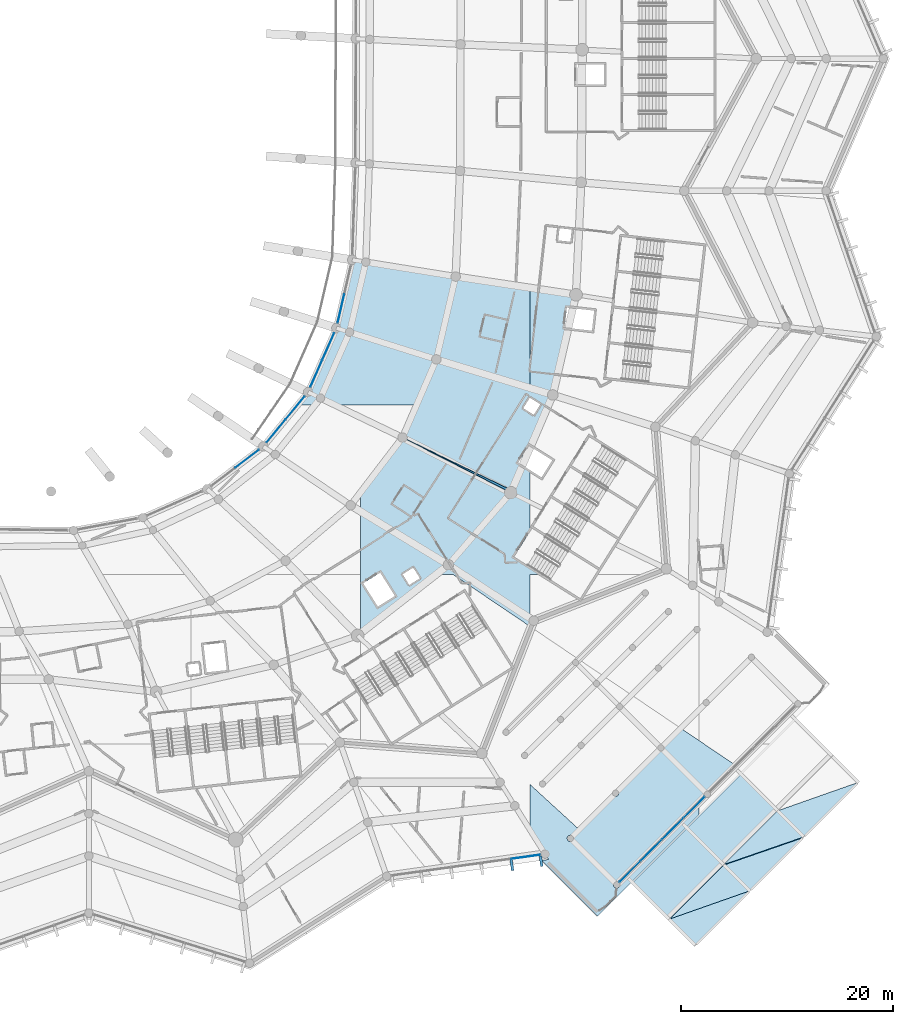
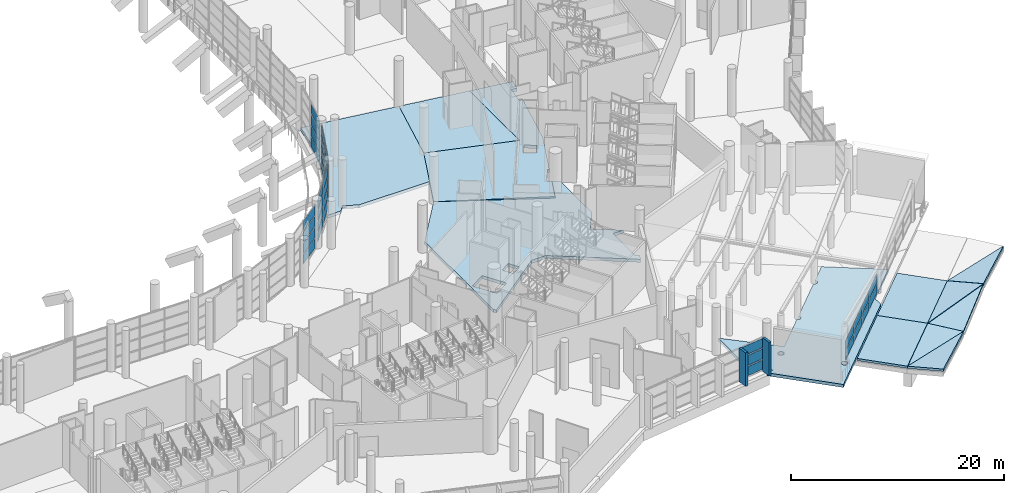
# One storey, part 129 of 271: 37 plates, 13 slabs, 6 elements without a shape of their own.
"""IFC4 building model written with IfcOpenShell, lengths in metres."""

from ifc_helpers import new_model, si_unit, direction, frame, origin, origin_2d, place, context, subcontext, project, spatial, polyline, rectangle, outline, extrude, material, layer, layer_set, type_object, element, aggregate, save


model = new_model("IFC4")

# Units and contexts
model_context = context("Model", 3, precision=1e-05, world=origin(), true_north=direction((0.0, 1.0)))
body_context = subcontext(model_context, "Body", "Model", "MODEL_VIEW")
ifc_project = project(units=[si_unit("LENGTHUNIT", "METRE"), si_unit("AREAUNIT", "SQUARE_METRE"), si_unit("VOLUMEUNIT", "CUBIC_METRE"), si_unit("PLANEANGLEUNIT", "RADIAN"), si_unit("MASSUNIT", "GRAM", prefix="KILO")], contexts=[model_context])

# Site, building, storey
site_placement = place(None, origin())
site = spatial("IfcSite", under=ifc_project, at=site_placement, CompositionType="ELEMENT")
building_placement = place(site_placement, origin())
building = spatial("IfcBuilding", under=site, at=building_placement, Name="Meseta Stadium", CompositionType="ELEMENT")
storey_placement = place(building_placement, frame((0.0, 0.0, 6.5)))
storey = spatial("IfcBuildingStorey", under=building, at=storey_placement, Name="L01", CompositionType="ELEMENT", Elevation=6.5)

# Curtain wall, plates
ifc_material_1 = material(Name="Aluminium", Category="aluminium")
ifc_layer_1 = layer(ifc_material_1, 0.199951171875)
ifc_layer_set_1 = layer_set([ifc_layer_1], Name="Club glazing curtain wall")
curtain_wall_type_1 = type_object("IfcCurtainWallType", Name="Club glazing curtain wall", PredefinedType="NOTDEFINED", material=ifc_layer_set_1)
curtain_wall_1_placement = place(storey_placement, origin())
curtain_wall_1 = element("IfcCurtainWall", 1, at=curtain_wall_1_placement, inside=storey, type_object=curtain_wall_type_1, Name="Club glazing bay 52", PredefinedType="NOTDEFINED")
ifc_material_2 = material(Name="Glass", Category="glass")
ifc_layer_2 = layer(ifc_material_2, 0.028076171875)
ifc_layer_set_2 = layer_set([ifc_layer_2], Name="CW glass panel 28")
plate_type_1 = type_object("IfcPlateType", Name="CW glass panel 28", PredefinedType="CURTAIN_PANEL", material=ifc_layer_set_2)
plate_1_placement = place(storey_placement, frame((53.26953125, -69.077880859375, 0.1201171875), z_axis=(0.0, 0.0, 1.0), x_axis=(0.796590021375, 0.604519923448, 0.0)))
plate_1 = element("IfcPlate", 2, at=plate_1_placement, type_object=plate_type_1, Name="CWC panel 2.1", PredefinedType="CURTAIN_PANEL", context=body_context, shape_type="SweptSolid", body=[
    extrude(rectangle(XDim=2.759765625, YDim=0.028076171875, at=origin_2d()), origin(), (0.0, 0.0, 1.0), 1.107421875),
])
plate_2_placement = place(storey_placement, frame((53.26953125, -69.077880859375, 1.347412109375), z_axis=(0.0, 0.0, 1.0), x_axis=(0.796590021375, 0.604519923448, 0.0)))
plate_2 = element("IfcPlate", 3, at=plate_2_placement, type_object=plate_type_1, Name="CWC panel 2.2", PredefinedType="CURTAIN_PANEL", context=body_context, shape_type="SweptSolid", body=[
    extrude(rectangle(XDim=2.759765625, YDim=0.028076171875, at=origin_2d()), origin(), (0.0, 0.0, 1.0), 1.16748046875),
])
plate_3_placement = place(storey_placement, frame((53.26953125, -69.077880859375, 2.635009765625), z_axis=(0.0, 0.0, 1.0), x_axis=(0.796590021375, 0.604519923448, 0.0)))
plate_3 = element("IfcPlate", 4, at=plate_3_placement, type_object=plate_type_1, Name="CWC panel 2.3", PredefinedType="CURTAIN_PANEL", context=body_context, shape_type="SweptSolid", body=[
    extrude(rectangle(XDim=2.759765625, YDim=0.028076171875, at=origin_2d()), origin(), (0.0, 0.0, 1.0), 1.16748046875),
])
plate_4_placement = place(storey_placement, frame((53.26953125, -69.077880859375, 3.922607421875), z_axis=(0.0, 0.0, 1.0), x_axis=(0.796590021375, 0.604519923448, 0.0)))
plate_4 = element("IfcPlate", 5, at=plate_4_placement, type_object=plate_type_1, Name="CWC panel 2.4", PredefinedType="CURTAIN_PANEL", context=body_context, shape_type="SweptSolid", body=[
    extrude(rectangle(XDim=2.759765625, YDim=0.028076171875, at=origin_2d()), origin(), (0.0, 0.0, 1.0), 1.107421875),
])
aggregate(curtain_wall_1, [plate_1, plate_2, plate_3, plate_4])

curtain_wall_2_placement = place(storey_placement, origin())
curtain_wall_2 = element("IfcCurtainWall", 6, at=curtain_wall_2_placement, inside=storey, type_object=curtain_wall_type_1, Name="Club glazing bay 53", PredefinedType="NOTDEFINED")
plate_5_placement = place(storey_placement, frame((56.022705078125, -66.44091796875, 0.1201171875), z_axis=(0.0, 0.0, 1.0), x_axis=(0.63574102663, 0.771902420685, 0.0)))
plate_5 = element("IfcPlate", 7, at=plate_5_placement, type_object=plate_type_1, Name="CWC panel 1.1", PredefinedType="CURTAIN_PANEL", context=body_context, shape_type="SweptSolid", body=[
    extrude(rectangle(XDim=2.7646484375, YDim=0.028076171875, at=origin_2d()), origin(), (0.0, 0.0, 1.0), 1.107421875),
])
plate_6_placement = place(storey_placement, frame((56.022705078125, -66.44091796875, 1.347412109375), z_axis=(0.0, 0.0, 1.0), x_axis=(0.63574102663, 0.771902420685, 0.0)))
plate_6 = element("IfcPlate", 8, at=plate_6_placement, type_object=plate_type_1, Name="CWC panel 1.2", PredefinedType="CURTAIN_PANEL", context=body_context, shape_type="SweptSolid", body=[
    extrude(rectangle(XDim=2.7646484375, YDim=0.028076171875, at=origin_2d()), origin(), (0.0, 0.0, 1.0), 1.16748046875),
])
plate_7_placement = place(storey_placement, frame((56.022705078125, -66.44091796875, 2.635009765625), z_axis=(0.0, 0.0, 1.0), x_axis=(0.63574102663, 0.771902420685, 0.0)))
plate_7 = element("IfcPlate", 9, at=plate_7_placement, type_object=plate_type_1, Name="CWC panel 1.3", PredefinedType="CURTAIN_PANEL", context=body_context, shape_type="SweptSolid", body=[
    extrude(rectangle(XDim=2.7646484375, YDim=0.028076171875, at=origin_2d()), origin(), (0.0, 0.0, 1.0), 1.16748046875),
])
plate_8_placement = place(storey_placement, frame((56.022705078125, -66.44091796875, 3.922607421875), z_axis=(0.0, 0.0, 1.0), x_axis=(0.63574102663, 0.771902420685, 0.0)))
plate_8 = element("IfcPlate", 10, at=plate_8_placement, type_object=plate_type_1, Name="CWC panel 1.4", PredefinedType="CURTAIN_PANEL", context=body_context, shape_type="SweptSolid", body=[
    extrude(rectangle(XDim=2.7646484375, YDim=0.028076171875, at=origin_2d()), origin(), (0.0, 0.0, 1.0), 1.107421875),
])
plate_9_placement = place(storey_placement, frame((57.818359375, -64.260498046875, 0.1201171875), z_axis=(0.0, 0.0, 1.0), x_axis=(0.63574102663, 0.771902420685, 0.0)))
plate_9 = element("IfcPlate", 11, at=plate_9_placement, type_object=plate_type_1, Name="CWC panel 2.1", PredefinedType="CURTAIN_PANEL", context=body_context, shape_type="SweptSolid", body=[
    extrude(rectangle(XDim=2.7646484375, YDim=0.028076171875, at=origin_2d()), origin(), (0.0, 0.0, 1.0), 1.107421875),
])
plate_10_placement = place(storey_placement, frame((57.818359375, -64.260498046875, 1.347412109375), z_axis=(0.0, 0.0, 1.0), x_axis=(0.63574102663, 0.771902420685, 0.0)))
plate_10 = element("IfcPlate", 12, at=plate_10_placement, type_object=plate_type_1, Name="CWC panel 2.2", PredefinedType="CURTAIN_PANEL", context=body_context, shape_type="SweptSolid", body=[
    extrude(rectangle(XDim=2.7646484375, YDim=0.028076171875, at=origin_2d()), origin(), (0.0, 0.0, 1.0), 1.16748046875),
])
plate_11_placement = place(storey_placement, frame((57.818359375, -64.260498046875, 2.635009765625), z_axis=(0.0, 0.0, 1.0), x_axis=(0.63574102663, 0.771902420685, 0.0)))
plate_11 = element("IfcPlate", 13, at=plate_11_placement, type_object=plate_type_1, Name="CWC panel 2.3", PredefinedType="CURTAIN_PANEL", context=body_context, shape_type="SweptSolid", body=[
    extrude(rectangle(XDim=2.7646484375, YDim=0.028076171875, at=origin_2d()), origin(), (0.0, 0.0, 1.0), 1.16748046875),
])
plate_12_placement = place(storey_placement, frame((57.818359375, -64.260498046875, 3.922607421875), z_axis=(0.0, 0.0, 1.0), x_axis=(0.63574102663, 0.771902420685, 0.0)))
plate_12 = element("IfcPlate", 14, at=plate_12_placement, type_object=plate_type_1, Name="CWC panel 2.4", PredefinedType="CURTAIN_PANEL", context=body_context, shape_type="SweptSolid", body=[
    extrude(rectangle(XDim=2.7646484375, YDim=0.028076171875, at=origin_2d()), origin(), (0.0, 0.0, 1.0), 1.107421875),
])
aggregate(curtain_wall_2, [plate_5, plate_6, plate_7, plate_8, plate_9, plate_10, plate_11, plate_12])

curtain_wall_3_placement = place(storey_placement, origin())
curtain_wall_3 = element("IfcCurtainWall", 15, at=curtain_wall_3_placement, inside=storey, type_object=curtain_wall_type_1, Name="Club glazing bay 54", PredefinedType="NOTDEFINED")
plate_13_placement = place(storey_placement, frame((59.820068359375, -61.021484375, 0.1201171875), z_axis=(0.0, 0.0, 1.0), x_axis=(0.404230353712, 0.914657215102, 0.0)))
plate_13 = element("IfcPlate", 16, at=plate_13_placement, type_object=plate_type_1, Name="CWC panel 1.1", PredefinedType="CURTAIN_PANEL", context=body_context, shape_type="SweptSolid", body=[
    extrude(rectangle(XDim=2.737060546875, YDim=0.028076171875, at=origin_2d()), origin(), (0.0, 0.0, 1.0), 1.107421875),
])
plate_14_placement = place(storey_placement, frame((59.820068359375, -61.021484375, 1.347412109375), z_axis=(0.0, 0.0, 1.0), x_axis=(0.404230353712, 0.914657215102, 0.0)))
plate_14 = element("IfcPlate", 17, at=plate_14_placement, type_object=plate_type_1, Name="CWC panel 1.2", PredefinedType="CURTAIN_PANEL", context=body_context, shape_type="SweptSolid", body=[
    extrude(rectangle(XDim=2.737060546875, YDim=0.028076171875, at=origin_2d()), origin(), (0.0, 0.0, 1.0), 1.16748046875),
])
plate_15_placement = place(storey_placement, frame((59.820068359375, -61.021484375, 2.635009765625), z_axis=(0.0, 0.0, 1.0), x_axis=(0.404230353712, 0.914657215102, 0.0)))
plate_15 = element("IfcPlate", 18, at=plate_15_placement, type_object=plate_type_1, Name="CWC panel 1.3", PredefinedType="CURTAIN_PANEL", context=body_context, shape_type="SweptSolid", body=[
    extrude(rectangle(XDim=2.737060546875, YDim=0.028076171875, at=origin_2d()), origin(), (0.0, 0.0, 1.0), 1.16748046875),
])
plate_16_placement = place(storey_placement, frame((59.820068359375, -61.021484375, 3.922607421875), z_axis=(0.0, 0.0, 1.0), x_axis=(0.404230353712, 0.914657215102, 0.0)))
plate_16 = element("IfcPlate", 19, at=plate_16_placement, type_object=plate_type_1, Name="CWC panel 1.4", PredefinedType="CURTAIN_PANEL", context=body_context, shape_type="SweptSolid", body=[
    extrude(rectangle(XDim=2.737060546875, YDim=0.028076171875, at=origin_2d()), origin(), (0.0, 0.0, 1.0), 1.107421875),
])
plate_17_placement = place(storey_placement, frame((60.950927734375, -58.462890625, 0.1201171875), z_axis=(0.0, 0.0, 1.0), x_axis=(0.404230353712, 0.914657215102, 0.0)))
plate_17 = element("IfcPlate", 20, at=plate_17_placement, type_object=plate_type_1, Name="CWC panel 2.1", PredefinedType="CURTAIN_PANEL", context=body_context, shape_type="SweptSolid", body=[
    extrude(rectangle(XDim=2.737060546875, YDim=0.028076171875, at=origin_2d()), origin(), (0.0, 0.0, 1.0), 1.107421875),
])
plate_18_placement = place(storey_placement, frame((60.950927734375, -58.462890625, 1.347412109375), z_axis=(0.0, 0.0, 1.0), x_axis=(0.404230353712, 0.914657215102, 0.0)))
plate_18 = element("IfcPlate", 21, at=plate_18_placement, type_object=plate_type_1, Name="CWC panel 2.2", PredefinedType="CURTAIN_PANEL", context=body_context, shape_type="SweptSolid", body=[
    extrude(rectangle(XDim=2.737060546875, YDim=0.028076171875, at=origin_2d()), origin(), (0.0, 0.0, 1.0), 1.16748046875),
])
plate_19_placement = place(storey_placement, frame((60.950927734375, -58.462890625, 2.635009765625), z_axis=(0.0, 0.0, 1.0), x_axis=(0.404230353712, 0.914657215102, 0.0)))
plate_19 = element("IfcPlate", 22, at=plate_19_placement, type_object=plate_type_1, Name="CWC panel 2.3", PredefinedType="CURTAIN_PANEL", context=body_context, shape_type="SweptSolid", body=[
    extrude(rectangle(XDim=2.737060546875, YDim=0.028076171875, at=origin_2d()), origin(), (0.0, 0.0, 1.0), 1.16748046875),
])
plate_20_placement = place(storey_placement, frame((60.950927734375, -58.462890625, 3.922607421875), z_axis=(0.0, 0.0, 1.0), x_axis=(0.404230353712, 0.914657215102, 0.0)))
plate_20 = element("IfcPlate", 23, at=plate_20_placement, type_object=plate_type_1, Name="CWC panel 2.4", PredefinedType="CURTAIN_PANEL", context=body_context, shape_type="SweptSolid", body=[
    extrude(rectangle(XDim=2.737060546875, YDim=0.028076171875, at=origin_2d()), origin(), (0.0, 0.0, 1.0), 1.107421875),
])
aggregate(curtain_wall_3, [plate_13, plate_14, plate_15, plate_16, plate_17, plate_18, plate_19, plate_20])

curtain_wall_4_placement = place(storey_placement, origin())
curtain_wall_4 = element("IfcCurtainWall", 24, at=curtain_wall_4_placement, inside=storey, type_object=curtain_wall_type_1, Name="Club glazing bay 55", PredefinedType="NOTDEFINED")
plate_21_placement = place(storey_placement, frame((62.154541015625, -54.856201171875, 0.1201171875), z_axis=(0.0, 0.0, 1.0), x_axis=(0.226048245529, 0.974116107399, 0.0)))
plate_21 = element("IfcPlate", 25, at=plate_21_placement, type_object=plate_type_1, Name="CWC panel 1.1", PredefinedType="CURTAIN_PANEL", context=body_context, shape_type="SweptSolid", body=[
    extrude(rectangle(XDim=2.736572265625, YDim=0.028076171875, at=origin_2d()), origin(), (0.0, 0.0, 1.0), 1.107421875),
])
plate_22_placement = place(storey_placement, frame((62.154541015625, -54.856201171875, 1.347412109375), z_axis=(0.0, 0.0, 1.0), x_axis=(0.226048245529, 0.974116107399, 0.0)))
plate_22 = element("IfcPlate", 26, at=plate_22_placement, type_object=plate_type_1, Name="CWC panel 1.2", PredefinedType="CURTAIN_PANEL", context=body_context, shape_type="SweptSolid", body=[
    extrude(rectangle(XDim=2.736572265625, YDim=0.028076171875, at=origin_2d()), origin(), (0.0, 0.0, 1.0), 1.16748046875),
])
plate_23_placement = place(storey_placement, frame((62.154541015625, -54.856201171875, 2.635009765625), z_axis=(0.0, 0.0, 1.0), x_axis=(0.226048245529, 0.974116107399, 0.0)))
plate_23 = element("IfcPlate", 27, at=plate_23_placement, type_object=plate_type_1, Name="CWC panel 1.3", PredefinedType="CURTAIN_PANEL", context=body_context, shape_type="SweptSolid", body=[
    extrude(rectangle(XDim=2.736572265625, YDim=0.028076171875, at=origin_2d()), origin(), (0.0, 0.0, 1.0), 1.16748046875),
])
plate_24_placement = place(storey_placement, frame((62.154541015625, -54.856201171875, 3.922607421875), z_axis=(0.0, 0.0, 1.0), x_axis=(0.226048245529, 0.974116107399, 0.0)))
plate_24 = element("IfcPlate", 28, at=plate_24_placement, type_object=plate_type_1, Name="CWC panel 1.4", PredefinedType="CURTAIN_PANEL", context=body_context, shape_type="SweptSolid", body=[
    extrude(rectangle(XDim=2.736572265625, YDim=0.028076171875, at=origin_2d()), origin(), (0.0, 0.0, 1.0), 1.107421875),
])
aggregate(curtain_wall_4, [plate_21, plate_22, plate_23, plate_24])

# Slabs
ifc_material_3 = material(Name="White precast concrete C40/50", Category="concrete")
ifc_layer_3 = layer(ifc_material_3, 0.25)
ifc_layer_set_3 = layer_set([ifc_layer_3], Name="Canopy folded plate 250")
slab_type_1 = type_object("IfcSlabType", Name="Canopy folded plate 250", PredefinedType="ROOF", material=ifc_layer_set_3)
slab_1_placement = place(storey_placement, frame((93.1640625, -112.5791015625, -0.10009765625), z_axis=(0.0, 0.0, 1.0), x_axis=(0.707090059377, 0.7071235026, 0.0)))
element("IfcSlab", 29, at=slab_1_placement, inside=storey, type_object=slab_type_1, Name="Entrance canopy folded plate B0", PredefinedType="ROOF", context=body_context, shape_type="SweptSolid", body=[
    extrude(outline(polyline([(0.0, 0.0), (7.300152457128014, 0.0), (7.300268332669466, 4.900029021383546), (0.0002885131153291809, 4.900201650792573), (0.0, 0.0)])), origin(), (0.0, 0.0, -1.0), 0.25),
])
slab_2_placement = place(storey_placement, frame((93.210693359375, -112.5625, -0.100830078125), z_axis=(0.060432028665, -0.060414653998, 0.996342330474), x_axis=(0.942661322626, 0.331686458875, -0.037063780482)))
element("IfcSlab", 30, at=slab_2_placement, inside=storey, type_object=slab_type_1, Name="Entrance canopy folded plate T0a", PredefinedType="ROOF", context=body_context, shape_type="SweptSolid", body=[
    extrude(outline(polyline([(0.0, 0.0), (8.051759758913095, -7.424616477180734e-16), (6.532470930236446, 3.1572763758816706), (6.537877021598011, 3.1460418245290676), (0.0, 0.0)])), origin(), (0.0, 0.0, -1.0), 0.25),
])
slab_3_placement = place(storey_placement, frame((95.638916015625, -115.0537109375, 0.201904296875), z_axis=(-0.002479951432, 0.117924395492, 0.993019479562), x_axis=(0.704729605911, 0.704729605911, -0.081929024799)))
element("IfcSlab", 31, at=slab_3_placement, inside=storey, type_object=slab_type_1, Name="Entrance canopy folded plate T0b", PredefinedType="ROOF", context=body_context, shape_type="SweptSolid", body=[
    extrude(outline(polyline([(0.0, 0.0), (7.324603920536269, -1.734723475976807e-16), (0.02441065475398344, 3.5125524767372487), (0.0, 0.0)])), origin(), (0.0, 0.0, -1.0), 0.25),
])
slab_4_placement = place(storey_placement, frame((98.325927734375, -107.4169921875, -0.10009765625), z_axis=(0.0, 0.0, 1.0), x_axis=(0.707106781187, 0.707106781187, 0.0)))
element("IfcSlab", 32, at=slab_4_placement, inside=storey, type_object=slab_type_1, Name="Entrance canopy folded plate B1", PredefinedType="ROOF", context=body_context, shape_type="SweptSolid", body=[
    extrude(outline(polyline([(0.0, 0.0), (7.19985239652494, 0.0), (7.19985239652494, 4.900029022753654), (0.0, 4.900029022753654), (0.0, 0.0)])), origin(), (0.0, 0.0, -1.0), 0.25),
])
slab_5_placement = place(storey_placement, frame((105.891845703125, -104.80078125, 0.200927734375), z_axis=(-0.060397973019, 0.060397973019, 0.99634540683), x_axis=(-0.704522593573, 0.704522593573, -0.085415632584)))
element("IfcSlab", 33, at=slab_5_placement, inside=storey, type_object=slab_type_1, Name="Entrance canopy folded plate T1a", PredefinedType="ROOF", context=body_context, shape_type="SweptSolid", body=[
    extrude(outline(polyline([(0.0, 0.0), (3.512809295544242, 0.0), (3.512809295544242, 7.199852396524939), (0.0, 0.0)])), origin(), (0.0, 0.0, -1.0), 0.25),
])
slab_6_placement = place(storey_placement, frame((98.36328125, -107.454345703125, -0.102783203125), z_axis=(0.001648560006, -0.118688529464, 0.992930166338), x_axis=(0.704524505935, -0.704524505935, -0.085384079746)))
element("IfcSlab", 34, at=slab_6_placement, inside=storey, type_object=slab_type_1, Name="Entrance canopy folded plate T1b", PredefinedType="ROOF", context=body_context, shape_type="SweptSolid", body=[
    extrude(outline(polyline([(0.0, 0.0), (3.459780290772183, 1.0755285551056204e-16), (3.409312796371691, 7.11584929047783), (0.0, 0.0)])), origin(), (0.0, 0.0, -1.0), 0.25),
])
slab_7_placement = place(storey_placement, frame((111.0537109375, -99.638916015625, -0.398193359375), z_axis=(-0.002496958832, 0.117934620738, 0.993018222606), x_axis=(-0.942665381464, -0.331679679455, 0.03702119429)))
element("IfcSlab", 35, at=slab_7_placement, inside=storey, type_object=slab_type_1, Name="Entrance canopy folded plate T2b", PredefinedType="ROOF", context=body_context, shape_type="SweptSolid", body=[
    extrude(outline(polyline([(0.0, 0.0), (8.078406744052105, -1.734723475976807e-16), (6.581794485257399, 3.1671372819378045), (0.0, 0.0)])), origin(), (0.0, 0.0, -1.0), 0.25),
])
ifc_material_4 = material(Name="Concrete C40/50", Category="concrete")
ifc_layer_4 = layer(ifc_material_4, 0.35009765625)
ifc_layer_set_4 = layer_set([ifc_layer_4], Name="Floor slab 350")
slab_type_2 = type_object("IfcSlabType", Name="Floor slab 350", PredefinedType="FLOOR", material=ifc_layer_set_4)
slab_8_placement = place(storey_placement, frame((0.0, 0.0, -0.35009765625)))
element("IfcSlab", 36, at=slab_8_placement, inside=storey, type_object=slab_type_2, Name="Floor slab L01 sector 49 panel 09", PredefinedType="FLOOR", context=body_context, shape_type="SweptSolid", body=[
    extrude(outline(polyline([(62.8525390625, -52.449951171875), (62.61962890625, -53.52880859375), (62.353515625, -54.60009765625), (62.0546875, -55.66259765625), (61.72314453125, -56.715576171875), (61.359375, -57.7578125), (60.96337890625, -58.7880859375), (60.535888671875, -59.80615234375), (60.077392578125, -60.810791015625), (59.587890625, -61.80078125), (59.049072265625, -62.766357421875), (58.428955078125, -63.688232421875), (58.201416015625, -64.0), (59.68408203125, -64.0), (60.22216796875, -63.33056640625), (61.6142578125, -64.0), (69.297119140625, -64.0), (71.169677734375, -59.67724609375), (72.989990234375, -51.85693359375), (63.216796875, -50.282958984375), (63.052001953125, -51.3642578125), (62.8525390625, -52.449951171875)])), origin(), (0.0, 0.0, 1.0), 0.35009765625),
])
slab_9_placement = place(storey_placement, frame((0.0, 0.0, -0.35009765625)))
element("IfcSlab", 37, at=slab_9_placement, inside=storey, type_object=slab_type_2, Name="Floor slab L01 sector 49 panel 10", PredefinedType="FLOOR", context=body_context, shape_type="SweptSolid", body=[
    extrude(outline(polyline([(78.505859375, -78.337646484375), (80.0, -75.959716796875), (80.0, -70.12353515625), (79.308349609375, -69.68896484375), (78.197998046875, -72.27197265625), (67.972412109375, -67.057861328125), (64.0, -72.251708984375), (64.0, -85.181396484375), (64.224365234375, -85.386962890625), (71.144287109375, -80.0), (72.741455078125, -80.0), (80.124267578125, -84.98388671875), (80.365478515625, -84.365478515625), (80.0, -84.126220703125), (80.0, -80.0), (81.151611328125, -80.0), (78.505859375, -78.337646484375)]), holes=[polyline([(67.967041015625, -79.9794921875), (68.983154296875, -79.341064453125), (69.62158203125, -80.357177734375), (68.605712890625, -80.99560546875), (67.967041015625, -79.9794921875)]), polyline([(65.86279296875, -79.82568359375), (67.245849609375, -82.027099609375), (65.63720703125, -83.0380859375), (64.25390625, -80.83642578125), (65.86279296875, -79.82568359375)])]), origin(), (0.0, 0.0, 1.0), 0.35009765625),
])
slab_10_placement = place(storey_placement, frame((0.0, 0.0, -0.35009765625)))
element("IfcSlab", 38, at=slab_10_placement, inside=storey, type_object=slab_type_2, Name="Floor slab L01 sector 49 panel 12", PredefinedType="FLOOR", context=body_context, shape_type="SweptSolid", body=[
    extrude(outline(polyline([(67.973388671875, -67.058349609375), (78.197998046875, -72.27197265625), (78.303466796875, -72.0263671875), (67.973388671875, -67.058349609375)])), origin(), (0.0, 0.0, 1.0), 0.35009765625),
])
slab_11_placement = place(storey_placement, frame((0.0, 0.0, -0.35009765625)))
element("IfcSlab", 39, at=slab_11_placement, inside=storey, type_object=slab_type_2, Name="Floor slab L01 sector 49 panel 13", PredefinedType="FLOOR", context=body_context, shape_type="SweptSolid", body=[
    extrude(outline(polyline([(80.0, -52.986083984375), (72.989990234375, -51.85693359375), (71.169677734375, -59.67724609375), (80.0, -62.371826171875), (80.0, -52.986083984375)])), origin(), (0.0, 0.0, 1.0), 0.35009765625),
])
slab_12_placement = place(storey_placement, frame((0.0, 0.0, -0.35009765625)))
element("IfcSlab", 40, at=slab_12_placement, inside=storey, type_object=slab_type_2, Name="Floor slab L01 sector 49 panel 14", PredefinedType="FLOOR", context=body_context, shape_type="SweptSolid", body=[
    extrude(outline(polyline([(71.169677734375, -59.67724609375), (67.972412109375, -67.057861328125), (78.303466796875, -72.0263671875), (79.308349609375, -69.68896484375), (78.903564453125, -69.4345703125), (79.914306640625, -67.82568359375), (80.06787109375, -67.922119140625), (82.169189453125, -63.03369140625), (83.635498046875, -56.7060546875), (83.2880859375, -56.6669921875), (83.500732421875, -54.77880859375), (84.0673828125, -54.842529296875), (84.335693359375, -53.684326171875), (80.0, -52.986083984375), (80.0, -62.371826171875), (71.169677734375, -59.67724609375)]), holes=[polyline([(81.015625, -63.91162109375), (80.377197265625, -64.927734375), (79.361083984375, -64.289306640625), (79.99951171875, -63.273193359375), (81.015625, -63.91162109375)])]), origin(), (0.0, 0.0, 1.0), 0.35009765625),
])
slab_13_placement = place(storey_placement, frame((0.0, 0.0, -0.35009765625)))
element("IfcSlab", 41, at=slab_13_placement, inside=storey, type_object=slab_type_2, Name="Gate hall floor slab 8 panel 02", PredefinedType="FLOOR", context=body_context, shape_type="SweptSolid", body=[
    extrude(outline(polyline([(88.400390625, -100.742431640625), (88.370361328125, -100.8154296875), (88.322265625, -100.878173828125), (88.259521484375, -100.92626953125), (88.1865234375, -100.95654296875), (88.108154296875, -100.966796875), (88.02978515625, -100.95654296875), (87.956787109375, -100.92626953125), (87.894287109375, -100.878173828125), (84.66943359375, -104.102783203125), (80.0, -99.828369140625), (80.0, -104.112548828125), (81.771240234375, -106.931396484375), (81.106201171875, -107.0263671875), (86.375732421875, -112.296142578125), (96.0, -102.671875), (96.0, -101.54052734375), (96.556396484375, -100.984130859375), (96.50830078125, -100.921630859375), (96.47802734375, -100.8486328125), (96.4677734375, -100.770263671875), (96.47802734375, -100.69189453125), (96.50830078125, -100.618896484375), (96.556396484375, -100.556396484375), (96.618896484375, -100.50830078125), (96.69189453125, -100.47802734375), (96.770263671875, -100.4677734375), (96.8486328125, -100.47802734375), (96.921630859375, -100.50830078125), (96.984130859375, -100.556396484375), (99.486083984375, -98.054443359375), (94.251708984375, -94.520751953125), (92.60009765625, -96.172119140625), (92.648193359375, -96.23486328125), (92.678466796875, -96.307861328125), (92.688720703125, -96.38623046875), (92.678466796875, -96.464599609375), (92.648193359375, -96.53759765625), (92.60009765625, -96.60009765625), (92.53759765625, -96.648193359375), (92.464599609375, -96.678466796875), (92.38623046875, -96.688720703125), (92.307861328125, -96.678466796875), (92.23486328125, -96.648193359375), (92.172119140625, -96.60009765625), (88.322265625, -100.4501953125), (88.370361328125, -100.512939453125), (88.400390625, -100.5859375), (88.410888671875, -100.664306640625), (88.400390625, -100.742431640625)]), holes=[polyline([(88.000244140625, -109.540283203125), (87.9521484375, -109.4775390625), (87.922119140625, -109.404541015625), (87.91162109375, -109.326416015625), (87.922119140625, -109.247802734375), (87.9521484375, -109.175048828125), (88.000244140625, -109.1123046875), (88.06298828125, -109.064208984375), (88.135986328125, -109.033935546875), (88.21435546875, -109.023681640625), (88.29248046875, -109.033935546875), (88.365478515625, -109.064208984375), (88.42822265625, -109.1123046875), (88.476318359375, -109.175048828125), (88.506591796875, -109.247802734375), (88.516845703125, -109.326416015625), (88.506591796875, -109.404541015625), (88.476318359375, -109.4775390625), (88.42822265625, -109.540283203125), (88.365478515625, -109.58837890625), (88.29248046875, -109.618408203125), (88.21435546875, -109.62890625), (88.135986328125, -109.618408203125), (88.06298828125, -109.58837890625), (88.000244140625, -109.540283203125)]), polyline([(84.044189453125, -105.15625), (83.9814453125, -105.2041015625), (83.908447265625, -105.234619140625), (83.830078125, -105.244873046875), (83.751953125, -105.234619140625), (83.678955078125, -105.2041015625), (83.6162109375, -105.15625), (83.568115234375, -105.093505859375), (83.537841796875, -105.0205078125), (83.527587890625, -104.942138671875), (83.537841796875, -104.864013671875), (83.568115234375, -104.791015625), (83.6162109375, -104.728271484375), (83.678955078125, -104.68017578125), (83.751953125, -104.64990234375), (83.830078125, -104.6396484375), (83.908447265625, -104.64990234375), (83.9814453125, -104.68017578125), (84.044189453125, -104.728271484375), (84.09228515625, -104.791015625), (84.12255859375, -104.864013671875), (84.1328125, -104.942138671875), (84.12255859375, -105.0205078125), (84.09228515625, -105.093505859375), (84.044189453125, -105.15625)])]), origin(), (0.0, 0.0, 1.0), 0.35009765625),
])

# Curtain wall, plates
ifc_material_5 = material(Name="Aluminium", Category="aluminium")
ifc_layer_5 = layer(ifc_material_5, 0.199951171875)
ifc_layer_set_5 = layer_set([ifc_layer_5], Name="Ring shopfront curtain wall")
curtain_wall_type_2 = type_object("IfcCurtainWallType", Name="Ring shopfront curtain wall", PredefinedType="NOTDEFINED", material=ifc_layer_set_5)
curtain_wall_5_placement = place(storey_placement, origin())
curtain_wall_5 = element("IfcCurtainWall", 42, at=curtain_wall_5_placement, inside=storey, type_object=curtain_wall_type_2, Name="Ring glazing L01 F51", PredefinedType="NOTDEFINED")
ifc_material_6 = material(Name="Glass", Category="glass")
ifc_layer_6 = layer(ifc_material_6, 0.035888671875)
ifc_layer_set_6 = layer_set([ifc_layer_6], Name="Ring CW glass panel 36")
plate_type_2 = type_object("IfcPlateType", Name="Ring CW glass panel 36", PredefinedType="CURTAIN_PANEL", material=ifc_layer_set_6)
plate_25_placement = place(storey_placement, frame((79.624267578125, -106.68017578125, 0.14990234375), z_axis=(0.0, 0.0, 1.0), x_axis=(0.990342456098, 0.13864277713, 0.0)))
plate_25 = element("IfcPlate", 43, at=plate_25_placement, type_object=plate_type_2, Name="CWR1 panel 5.1", PredefinedType="CURTAIN_PANEL", context=body_context, shape_type="SweptSolid", body=[
    extrude(rectangle(XDim=2.7744140625, YDim=0.035888671875, at=origin_2d()), origin(), (0.0, 0.0, 1.0), 1.058349609375),
])
plate_26_placement = place(storey_placement, frame((79.624267578125, -106.68017578125, 1.3583984375), z_axis=(0.0, 0.0, 1.0), x_axis=(0.990342456098, 0.13864277713, 0.0)))
plate_26 = element("IfcPlate", 44, at=plate_26_placement, type_object=plate_type_2, Name="CWR1 panel 5.2", PredefinedType="CURTAIN_PANEL", context=body_context, shape_type="SweptSolid", body=[
    extrude(rectangle(XDim=2.7744140625, YDim=0.035888671875, at=origin_2d()), origin(), (0.0, 0.0, 1.0), 1.13330078125),
])
plate_27_placement = place(storey_placement, frame((79.624267578125, -106.68017578125, 2.6416015625), z_axis=(0.0, 0.0, 1.0), x_axis=(0.990342456098, 0.13864277713, 0.0)))
plate_27 = element("IfcPlate", 45, at=plate_27_placement, type_object=plate_type_2, Name="CWR1 panel 5.3", PredefinedType="CURTAIN_PANEL", context=body_context, shape_type="SweptSolid", body=[
    extrude(rectangle(XDim=2.7744140625, YDim=0.035888671875, at=origin_2d()), origin(), (0.0, 0.0, 1.0), 1.058349609375),
])
aggregate(curtain_wall_5, [plate_25, plate_26, plate_27])

ifc_material_7 = material(Name="Aluminium", Category="aluminium")
ifc_layer_7 = layer(ifc_material_7, 0.199951171875)
ifc_layer_set_7 = layer_set([ifc_layer_7], Name="Gate hall curtain wall")
curtain_wall_type_3 = type_object("IfcCurtainWallType", Name="Gate hall curtain wall", PredefinedType="NOTDEFINED", material=ifc_layer_set_7)
curtain_wall_6_placement = place(storey_placement, origin())
curtain_wall_6 = element("IfcCurtainWall", 46, at=curtain_wall_6_placement, inside=storey, type_object=curtain_wall_type_3, Name="Gate 8 hall glazing", PredefinedType="NOTDEFINED")
plate_28_placement = place(storey_placement, frame((95.531005859375, -102.009521484375, 0.14990234375), z_axis=(0.0, 0.0, 1.0), x_axis=(-0.707106781187, -0.707106781187, 0.0)))
plate_28 = element("IfcPlate", 47, at=plate_28_placement, type_object=plate_type_2, Name="CWG1 panel 1.1", PredefinedType="CURTAIN_PANEL", context=body_context, shape_type="SweptSolid", body=[
    extrude(rectangle(XDim=2.784912109375, YDim=0.035888671875, at=origin_2d()), origin(), (0.0, 0.0, 1.0), 0.997314453125),
])
plate_29_placement = place(storey_placement, frame((95.531005859375, -102.009521484375, 1.29736328125), z_axis=(0.0, 0.0, 1.0), x_axis=(-0.707106781187, -0.707106781187, 0.0)))
plate_29 = element("IfcPlate", 48, at=plate_29_placement, type_object=plate_type_2, Name="CWG1 panel 1.2", PredefinedType="CURTAIN_PANEL", context=body_context, shape_type="SweptSolid", body=[
    extrude(rectangle(XDim=2.784912109375, YDim=0.035888671875, at=origin_2d()), origin(), (0.0, 0.0, 1.0), 0.997314453125),
])
plate_30_placement = place(storey_placement, frame((93.5087890625, -104.03173828125, 0.14990234375), z_axis=(0.0, 0.0, 1.0), x_axis=(-0.707106781187, -0.707106781187, 0.0)))
plate_30 = element("IfcPlate", 49, at=plate_30_placement, type_object=plate_type_2, Name="CWG1 panel 2.1", PredefinedType="CURTAIN_PANEL", context=body_context, shape_type="SweptSolid", body=[
    extrude(rectangle(XDim=2.81494140625, YDim=0.035888671875, at=origin_2d()), origin(), (0.0, 0.0, 1.0), 0.997314453125),
])
plate_31_placement = place(storey_placement, frame((93.5087890625, -104.03173828125, 1.29736328125), z_axis=(0.0, 0.0, 1.0), x_axis=(-0.707106781187, -0.707106781187, 0.0)))
plate_31 = element("IfcPlate", 50, at=plate_31_placement, type_object=plate_type_2, Name="CWG1 panel 2.2", PredefinedType="CURTAIN_PANEL", context=body_context, shape_type="SweptSolid", body=[
    extrude(rectangle(XDim=2.81494140625, YDim=0.035888671875, at=origin_2d()), origin(), (0.0, 0.0, 1.0), 0.997314453125),
])
plate_32_placement = place(storey_placement, frame((91.475830078125, -106.064697265625, 0.14990234375), z_axis=(0.0, 0.0, 1.0), x_axis=(-0.707106781187, -0.707106781187, 0.0)))
plate_32 = element("IfcPlate", 51, at=plate_32_placement, type_object=plate_type_2, Name="CWG1 panel 3.1", PredefinedType="CURTAIN_PANEL", context=body_context, shape_type="SweptSolid", body=[
    extrude(rectangle(XDim=2.81494140625, YDim=0.035888671875, at=origin_2d()), origin(), (0.0, 0.0, 1.0), 0.997314453125),
])
plate_33_placement = place(storey_placement, frame((91.475830078125, -106.064697265625, 1.29736328125), z_axis=(0.0, 0.0, 1.0), x_axis=(-0.707106781187, -0.707106781187, 0.0)))
plate_33 = element("IfcPlate", 52, at=plate_33_placement, type_object=plate_type_2, Name="CWG1 panel 3.2", PredefinedType="CURTAIN_PANEL", context=body_context, shape_type="SweptSolid", body=[
    extrude(rectangle(XDim=2.81494140625, YDim=0.035888671875, at=origin_2d()), origin(), (0.0, 0.0, 1.0), 0.997314453125),
])
plate_34_placement = place(storey_placement, frame((89.453369140625, -108.0869140625, 0.14990234375), z_axis=(0.0, 0.0, 1.0), x_axis=(-0.707106781187, -0.707106781187, 0.0)))
plate_34 = element("IfcPlate", 53, at=plate_34_placement, type_object=plate_type_2, Name="CWG1 panel 4.1", PredefinedType="CURTAIN_PANEL", context=body_context, shape_type="SweptSolid", body=[
    extrude(rectangle(XDim=2.784912109375, YDim=0.035888671875, at=origin_2d()), origin(), (0.0, 0.0, 1.0), 0.997314453125),
])
plate_35_placement = place(storey_placement, frame((89.453369140625, -108.0869140625, 1.29736328125), z_axis=(0.0, 0.0, 1.0), x_axis=(-0.707106781187, -0.707106781187, 0.0)))
plate_35 = element("IfcPlate", 54, at=plate_35_placement, type_object=plate_type_2, Name="CWG1 panel 4.2", PredefinedType="CURTAIN_PANEL", context=body_context, shape_type="SweptSolid", body=[
    extrude(rectangle(XDim=2.784912109375, YDim=0.035888671875, at=origin_2d()), origin(), (0.0, 0.0, 1.0), 0.997314453125),
])
aggregate(curtain_wall_6, [plate_28, plate_29, plate_30, plate_31, plate_32, plate_33, plate_34, plate_35])

# Plates
ifc_material_8 = material(Name="Precast concrete C40/50", Category="concrete")
ifc_layer_8 = layer(ifc_material_8, 0.25)
ifc_layer_set_8 = layer_set([ifc_layer_8], Name="Ring brise-soleil fin 250x1000")
plate_type_3 = type_object("IfcPlateType", Name="Ring brise-soleil fin 250x1000", PredefinedType="USERDEFINED", material=ifc_layer_set_8)
for number, where, z_axis, x_axis, name in (
    (55, (78.303955078125, -107.470947265625, 0.0), (0.0, 0.0, 1.0), (0.990342739746, 0.138640750978, 0.0), "Brise-soleil fin L01 F51.5"),
    (56, (81.06640625, -107.084228515625, 0.0), (0.0, 0.0, 1.0), (0.990342739746, 0.138640750978, 0.0), "Brise-soleil fin L01 F51.6"),
):
    element("IfcPlate", number, at=place(storey_placement, frame(where, z_axis=z_axis, x_axis=x_axis)), inside=storey, type_object=plate_type_3, Name=name, ObjectType="FIN", PredefinedType="USERDEFINED", context=body_context, shape_type="SweptSolid", body=[
        extrude(rectangle(XDim=0.25, YDim=1.0, at=origin_2d()), origin(), (0.0, 0.0, 1.0), 3.85009765625),
    ])

save(model, "model.ifc")
